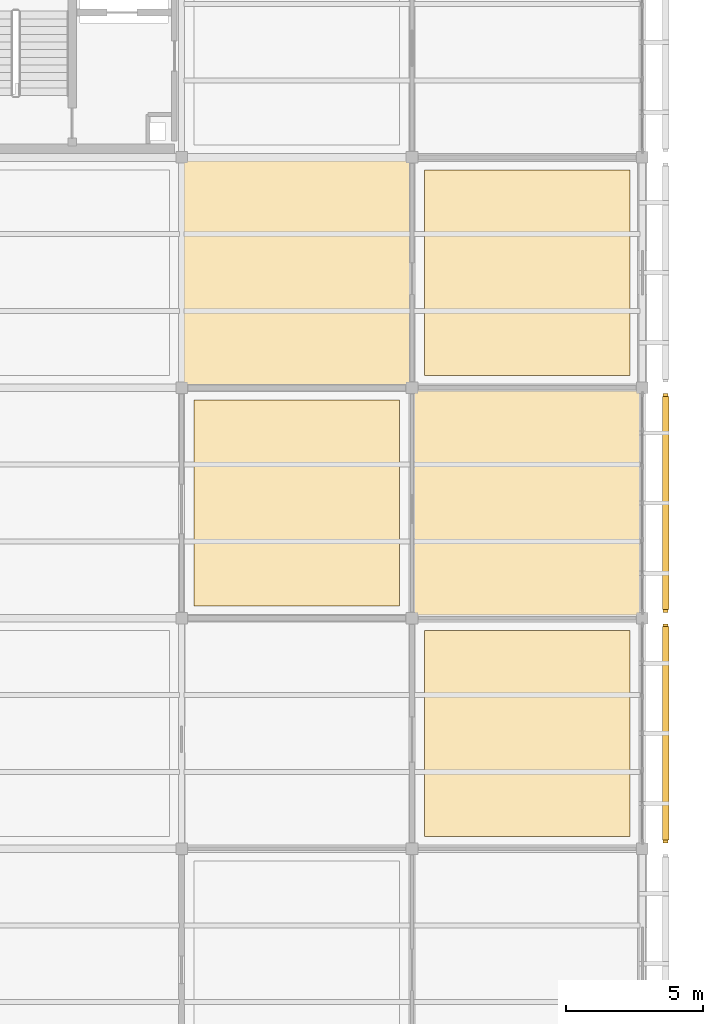
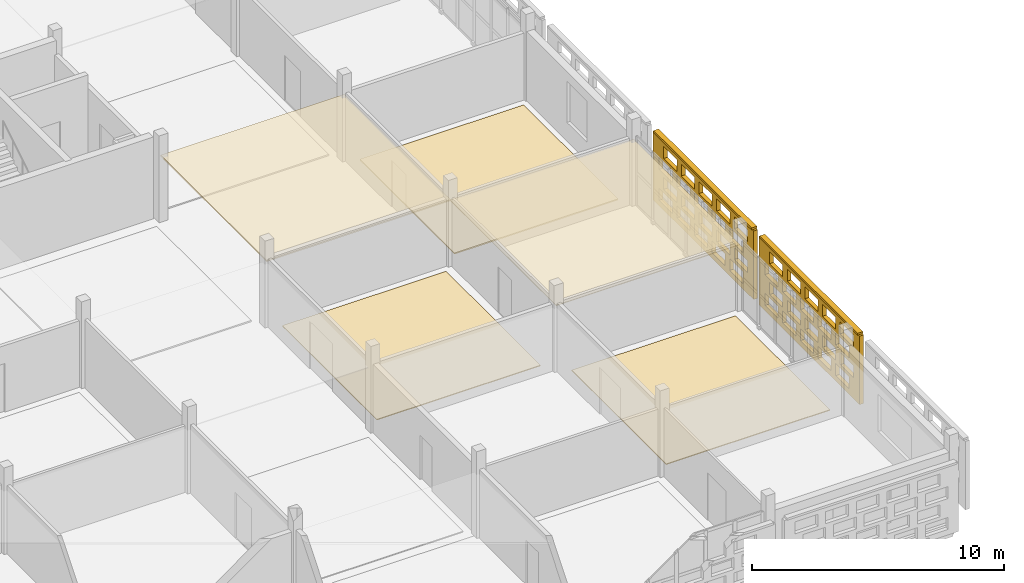
# One storey, part 161 of 166: 7 coverings, 2 shading devices, 40 openings.
"""IFC4 building model written with IfcOpenShell, lengths in metres."""

from ifc_helpers import new_model, si_unit, direction, frame, frame_2d, origin, origin_2d, place, context, subcontext, project, spatial, rectangle, extrude, material, layer, layer_set, type_object, element, save


model = new_model("IFC4")

# Units and contexts
model_context = context("Model", 3, precision=1e-05, world=origin(), true_north=direction((0.0, 1.0)))
body_context = subcontext(model_context, "Body", "Model", "MODEL_VIEW")
ifc_project = project(units=[si_unit("LENGTHUNIT", "METRE"), si_unit("AREAUNIT", "SQUARE_METRE"), si_unit("VOLUMEUNIT", "CUBIC_METRE"), si_unit("PLANEANGLEUNIT", "RADIAN"), si_unit("MASSUNIT", "GRAM", prefix="KILO")], contexts=[model_context])

# Site, building, storey
site_placement = place(None, origin())
site = spatial("IfcSite", under=ifc_project, at=site_placement, CompositionType="ELEMENT")
building_placement = place(site_placement, origin())
building = spatial("IfcBuilding", under=site, at=building_placement, Name="Varnapada Polytechnic", CompositionType="ELEMENT")
storey_placement = place(building_placement, frame((0.0, 0.0, 9.60009765625)))
storey = spatial("IfcBuildingStorey", under=building, at=storey_placement, Name="L02", CompositionType="ELEMENT", Elevation=9.60009765625)

# Coverings
ifc_material_1 = material(Name="Anti-Static Raised Laboratory Flooring")
ifc_layer_1 = layer(ifc_material_1, 0.06005859375)
ifc_layer_set_1 = layer_set([ifc_layer_1], Name="Anti-Static Raised Laboratory Flooring")
covering_type_1 = type_object("IfcCoveringType", Name="Floor Finish FLR-02", PredefinedType="FLOORING", material=ifc_layer_set_1)
covering_1_placement = place(storey_placement, frame((172.199951171875, 88.199951171875, -0.000244140625), z_axis=(0.0, 0.0, 1.0), x_axis=(1.0, 0.0, 0.0)))
element("IfcCovering", 1, at=covering_1_placement, inside=storey, type_object=covering_type_1, Name="L02 floor finish panel (21,11)", PredefinedType="FLOORING", context=body_context, shape_type="SweptSolid", body=[
    extrude(rectangle(XDim=7.5, YDim=7.5, at=origin_2d()), origin(), (0.0, 0.0, 1.0), 0.06005859375),
])
ifc_material_2 = material(Name="Acoustic Rubber Seminar Flooring")
ifc_layer_2 = layer(ifc_material_2, 0.0400390625)
ifc_layer_set_2 = layer_set([ifc_layer_2], Name="Acoustic Rubber Seminar Flooring")
covering_type_2 = type_object("IfcCoveringType", Name="Floor Finish FLR-06", PredefinedType="FLOORING", material=ifc_layer_set_2)
for number, where, z_axis, x_axis, name in (
    (2, (163.800048828125, 79.800048828125, 0.0), (0.0, 0.0, 1.0), (1.0, 0.0, 0.0), "L02 floor finish panel (20,10)"),
    (3, (172.199951171875, 71.39990234375, 0.0), (0.0, 0.0, 1.0), (1.0, 0.0, 0.0), "L02 floor finish panel (21,9)"),
):
    element("IfcCovering", number, at=place(storey_placement, frame(where, z_axis=z_axis, x_axis=x_axis)), inside=storey, type_object=covering_type_2, Name=name, PredefinedType="FLOORING", context=body_context, shape_type="SweptSolid", body=[
        extrude(rectangle(XDim=7.5, YDim=7.5, at=origin_2d()), origin(), (0.0, 0.0, 1.0), 0.0400390625),
    ])
ifc_material_3 = material(Name="Cleanroom Laboratory Metal Pan Ceiling")
ifc_layer_3 = layer(ifc_material_3, 0.034912109375)
ifc_layer_set_3 = layer_set([ifc_layer_3], Name="Cleanroom Laboratory Metal Pan Ceiling")
covering_type_3 = type_object("IfcCoveringType", Name="Suspended Ceiling CLG-06", PredefinedType="CEILING", material=ifc_layer_set_3)
covering_2_placement = place(storey_placement, frame((172.199951171875, 79.800048828125, 3.0322265625), z_axis=(0.0, 0.0, 1.0), x_axis=(1.0, 0.0, 0.0)))
element("IfcCovering", 4, at=covering_2_placement, inside=storey, type_object=covering_type_3, Name="L02 suspended acoustic ceiling (21,10)", PredefinedType="CEILING", context=body_context, shape_type="SweptSolid", body=[
    extrude(rectangle(XDim=8.419921875, YDim=8.419921875, at=origin_2d()), origin(), (0.0, 0.0, 1.0), 0.034912109375),
])
ifc_material_4 = material(Name="Deep Acoustic Auditorium Cloud Baffle")
ifc_layer_4 = layer(ifc_material_4, 0.06494140625)
ifc_layer_set_4 = layer_set([ifc_layer_4], Name="Deep Acoustic Auditorium Cloud Baffle")
covering_type_4 = type_object("IfcCoveringType", Name="Suspended Ceiling CLG-07", PredefinedType="CEILING", material=ifc_layer_set_4)
covering_3_placement = place(storey_placement, frame((163.800048828125, 88.199951171875, 3.017333984375), z_axis=(0.0, 0.0, 1.0), x_axis=(1.0, 0.0, 0.0)))
element("IfcCovering", 5, at=covering_3_placement, inside=storey, type_object=covering_type_4, Name="L02 suspended acoustic ceiling (20,11)", PredefinedType="CEILING", context=body_context, shape_type="SweptSolid", body=[
    extrude(rectangle(XDim=8.419921875, YDim=8.419921875, at=origin_2d()), origin(), (0.0, 0.0, 1.0), 0.06494140625),
])

# Covering, openings
ifc_material_5 = material(Name="Earth-toned architectural terracotta screen block", Category="masonry")
ifc_layer_5 = layer(ifc_material_5, 0.1201171875)
ifc_layer_set_5 = layer_set([ifc_layer_5], Name="Earth-toned architectural terracotta screen block")
covering_type_5 = type_object("IfcCoveringType", Name="Terracotta Screen Cladding CLD-01", PredefinedType="CLADDING", material=ifc_layer_set_5)
covering_4_placement = place(storey_placement, frame((177.25, 75.389892578125, 0.0), z_axis=(0.0, 0.0, 1.0), x_axis=(0.0, -1.0, 0.0)))
covering_4 = element("IfcCovering", 6, at=covering_4_placement, inside=storey, type_object=covering_type_5, Name="L02 perforated terracotta block screen (110)", PredefinedType="CLADDING", context=body_context, shape_type="SweptSolid", body=[
    extrude(rectangle(XDim=7.97998046875, YDim=0.179931640625, at=frame_2d((3.989990234375, 0.0))), origin(), (0.0, 0.0, 1.0), 3.31982421875),
])
opening_1_placement = place(covering_4_placement, frame((0.489990234375, 0.0, 0.265625)))
element("IfcOpeningElement", 7, at=opening_1_placement, cuts=covering_4, Name="Screen perforation TBS-L02-109.1", PredefinedType="OPENING", context=body_context, shape_type="SweptSolid", body=[
    extrude(rectangle(XDim=1.0400390625, YDim=0.5810546875, at=frame_2d((0.52001953125, 0.29052734375))), frame((0.0, 0.099853515625, 0.0), z_axis=(0.0, -1.0, 0.0), x_axis=(1.0, 0.0, 0.0)), (0.0, 0.0, 1.0), 0.199951171875),
])
opening_2_placement = place(covering_4_placement, frame((1.889892578125, 0.0, 0.265625)))
element("IfcOpeningElement", 8, at=opening_2_placement, cuts=covering_4, Name="Screen perforation TBS-L02-109.2", PredefinedType="OPENING", context=body_context, shape_type="SweptSolid", body=[
    extrude(rectangle(XDim=1.0400390625, YDim=0.5810546875, at=frame_2d((0.52001953125, 0.29052734375))), frame((0.0, 0.099853515625, 0.0), z_axis=(0.0, -1.0, 0.0), x_axis=(1.0, 0.0, 0.0)), (0.0, 0.0, 1.0), 0.199951171875),
])
opening_3_placement = place(covering_4_placement, frame((3.2900390625, 0.0, 0.265625)))
element("IfcOpeningElement", 9, at=opening_3_placement, cuts=covering_4, Name="Screen perforation TBS-L02-109.3", PredefinedType="OPENING", context=body_context, shape_type="SweptSolid", body=[
    extrude(rectangle(XDim=1.0400390625, YDim=0.5810546875, at=frame_2d((0.52001953125, 0.29052734375))), frame((0.0, 0.099853515625, 0.0), z_axis=(0.0, -1.0, 0.0), x_axis=(1.0, 0.0, 0.0)), (0.0, 0.0, 1.0), 0.199951171875),
])
opening_4_placement = place(covering_4_placement, frame((4.68994140625, 0.0, 0.265625)))
element("IfcOpeningElement", 10, at=opening_4_placement, cuts=covering_4, Name="Screen perforation TBS-L02-109.4", PredefinedType="OPENING", context=body_context, shape_type="SweptSolid", body=[
    extrude(rectangle(XDim=1.0400390625, YDim=0.5810546875, at=frame_2d((0.52001953125, 0.29052734375))), frame((0.0, 0.099853515625, 0.0), z_axis=(0.0, -1.0, 0.0), x_axis=(1.0, 0.0, 0.0)), (0.0, 0.0, 1.0), 0.199951171875),
])
opening_5_placement = place(covering_4_placement, frame((6.090087890625, 0.0, 0.265625)))
element("IfcOpeningElement", 11, at=opening_5_placement, cuts=covering_4, Name="Screen perforation TBS-L02-109.5", PredefinedType="OPENING", context=body_context, shape_type="SweptSolid", body=[
    extrude(rectangle(XDim=1.0400390625, YDim=0.5810546875, at=frame_2d((0.52001953125, 0.29052734375))), frame((0.0, 0.099853515625, 0.0), z_axis=(0.0, -1.0, 0.0), x_axis=(1.0, 0.0, 0.0)), (0.0, 0.0, 1.0), 0.199951171875),
])
opening_6_placement = place(covering_4_placement, frame((0.85009765625, 0.0, 1.0126953125)))
element("IfcOpeningElement", 12, at=opening_6_placement, cuts=covering_4, Name="Screen perforation TBS-L02-109.6", PredefinedType="OPENING", context=body_context, shape_type="SweptSolid", body=[
    extrude(rectangle(XDim=1.0400390625, YDim=0.5810546875, at=frame_2d((0.52001953125, 0.29052734375))), frame((0.0, 0.099853515625, 0.0), z_axis=(0.0, -1.0, 0.0), x_axis=(1.0, 0.0, 0.0)), (0.0, 0.0, 1.0), 0.199951171875),
])
opening_7_placement = place(covering_4_placement, frame((2.25, 0.0, 1.0126953125)))
element("IfcOpeningElement", 13, at=opening_7_placement, cuts=covering_4, Name="Screen perforation TBS-L02-109.7", PredefinedType="OPENING", context=body_context, shape_type="SweptSolid", body=[
    extrude(rectangle(XDim=1.0400390625, YDim=0.5810546875, at=frame_2d((0.52001953125, 0.29052734375))), frame((0.0, 0.099853515625, 0.0), z_axis=(0.0, -1.0, 0.0), x_axis=(1.0, 0.0, 0.0)), (0.0, 0.0, 1.0), 0.199951171875),
])
opening_8_placement = place(covering_4_placement, frame((3.64990234375, 0.0, 1.0126953125)))
element("IfcOpeningElement", 14, at=opening_8_placement, cuts=covering_4, Name="Screen perforation TBS-L02-109.8", PredefinedType="OPENING", context=body_context, shape_type="SweptSolid", body=[
    extrude(rectangle(XDim=1.0400390625, YDim=0.5810546875, at=frame_2d((0.52001953125, 0.29052734375))), frame((0.0, 0.099853515625, 0.0), z_axis=(0.0, -1.0, 0.0), x_axis=(1.0, 0.0, 0.0)), (0.0, 0.0, 1.0), 0.199951171875),
])
opening_9_placement = place(covering_4_placement, frame((5.050048828125, 0.0, 1.0126953125)))
element("IfcOpeningElement", 15, at=opening_9_placement, cuts=covering_4, Name="Screen perforation TBS-L02-109.9", PredefinedType="OPENING", context=body_context, shape_type="SweptSolid", body=[
    extrude(rectangle(XDim=1.0400390625, YDim=0.5810546875, at=frame_2d((0.52001953125, 0.29052734375))), frame((0.0, 0.099853515625, 0.0), z_axis=(0.0, -1.0, 0.0), x_axis=(1.0, 0.0, 0.0)), (0.0, 0.0, 1.0), 0.199951171875),
])
opening_10_placement = place(covering_4_placement, frame((6.449951171875, 0.0, 1.0126953125)))
element("IfcOpeningElement", 16, at=opening_10_placement, cuts=covering_4, Name="Screen perforation TBS-L02-109.10", PredefinedType="OPENING", context=body_context, shape_type="SweptSolid", body=[
    extrude(rectangle(XDim=1.0400390625, YDim=0.5810546875, at=frame_2d((0.52001953125, 0.29052734375))), frame((0.0, 0.099853515625, 0.0), z_axis=(0.0, -1.0, 0.0), x_axis=(1.0, 0.0, 0.0)), (0.0, 0.0, 1.0), 0.199951171875),
])
opening_11_placement = place(covering_4_placement, frame((0.489990234375, 0.0, 1.759521484375)))
element("IfcOpeningElement", 17, at=opening_11_placement, cuts=covering_4, Name="Screen perforation TBS-L02-109.11", PredefinedType="OPENING", context=body_context, shape_type="SweptSolid", body=[
    extrude(rectangle(XDim=1.0400390625, YDim=0.5810546875, at=frame_2d((0.52001953125, 0.29052734375))), frame((0.0, 0.099853515625, 0.0), z_axis=(0.0, -1.0, 0.0), x_axis=(1.0, 0.0, 0.0)), (0.0, 0.0, 1.0), 0.199951171875),
])
opening_12_placement = place(covering_4_placement, frame((1.889892578125, 0.0, 1.759521484375)))
element("IfcOpeningElement", 18, at=opening_12_placement, cuts=covering_4, Name="Screen perforation TBS-L02-109.12", PredefinedType="OPENING", context=body_context, shape_type="SweptSolid", body=[
    extrude(rectangle(XDim=1.0400390625, YDim=0.5810546875, at=frame_2d((0.52001953125, 0.29052734375))), frame((0.0, 0.099853515625, 0.0), z_axis=(0.0, -1.0, 0.0), x_axis=(1.0, 0.0, 0.0)), (0.0, 0.0, 1.0), 0.199951171875),
])
opening_13_placement = place(covering_4_placement, frame((3.2900390625, 0.0, 1.759521484375)))
element("IfcOpeningElement", 19, at=opening_13_placement, cuts=covering_4, Name="Screen perforation TBS-L02-109.13", PredefinedType="OPENING", context=body_context, shape_type="SweptSolid", body=[
    extrude(rectangle(XDim=1.0400390625, YDim=0.5810546875, at=frame_2d((0.52001953125, 0.29052734375))), frame((0.0, 0.099853515625, 0.0), z_axis=(0.0, -1.0, 0.0), x_axis=(1.0, 0.0, 0.0)), (0.0, 0.0, 1.0), 0.199951171875),
])
opening_14_placement = place(covering_4_placement, frame((4.68994140625, 0.0, 1.759521484375)))
element("IfcOpeningElement", 20, at=opening_14_placement, cuts=covering_4, Name="Screen perforation TBS-L02-109.14", PredefinedType="OPENING", context=body_context, shape_type="SweptSolid", body=[
    extrude(rectangle(XDim=1.0400390625, YDim=0.5810546875, at=frame_2d((0.52001953125, 0.29052734375))), frame((0.0, 0.099853515625, 0.0), z_axis=(0.0, -1.0, 0.0), x_axis=(1.0, 0.0, 0.0)), (0.0, 0.0, 1.0), 0.199951171875),
])
opening_15_placement = place(covering_4_placement, frame((6.090087890625, 0.0, 1.759521484375)))
element("IfcOpeningElement", 21, at=opening_15_placement, cuts=covering_4, Name="Screen perforation TBS-L02-109.15", PredefinedType="OPENING", context=body_context, shape_type="SweptSolid", body=[
    extrude(rectangle(XDim=1.0400390625, YDim=0.5810546875, at=frame_2d((0.52001953125, 0.29052734375))), frame((0.0, 0.099853515625, 0.0), z_axis=(0.0, -1.0, 0.0), x_axis=(1.0, 0.0, 0.0)), (0.0, 0.0, 1.0), 0.199951171875),
])
opening_16_placement = place(covering_4_placement, frame((0.85009765625, 0.0, 2.506591796875)))
element("IfcOpeningElement", 22, at=opening_16_placement, cuts=covering_4, Name="Screen perforation TBS-L02-109.16", PredefinedType="OPENING", context=body_context, shape_type="SweptSolid", body=[
    extrude(rectangle(XDim=1.0400390625, YDim=0.5810546875, at=frame_2d((0.52001953125, 0.29052734375))), frame((0.0, 0.099853515625, 0.0), z_axis=(0.0, -1.0, 0.0), x_axis=(1.0, 0.0, 0.0)), (0.0, 0.0, 1.0), 0.199951171875),
])
opening_17_placement = place(covering_4_placement, frame((2.25, 0.0, 2.506591796875)))
element("IfcOpeningElement", 23, at=opening_17_placement, cuts=covering_4, Name="Screen perforation TBS-L02-109.17", PredefinedType="OPENING", context=body_context, shape_type="SweptSolid", body=[
    extrude(rectangle(XDim=1.0400390625, YDim=0.5810546875, at=frame_2d((0.52001953125, 0.29052734375))), frame((0.0, 0.099853515625, 0.0), z_axis=(0.0, -1.0, 0.0), x_axis=(1.0, 0.0, 0.0)), (0.0, 0.0, 1.0), 0.199951171875),
])
opening_18_placement = place(covering_4_placement, frame((3.64990234375, 0.0, 2.506591796875)))
element("IfcOpeningElement", 24, at=opening_18_placement, cuts=covering_4, Name="Screen perforation TBS-L02-109.18", PredefinedType="OPENING", context=body_context, shape_type="SweptSolid", body=[
    extrude(rectangle(XDim=1.0400390625, YDim=0.5810546875, at=frame_2d((0.52001953125, 0.29052734375))), frame((0.0, 0.099853515625, 0.0), z_axis=(0.0, -1.0, 0.0), x_axis=(1.0, 0.0, 0.0)), (0.0, 0.0, 1.0), 0.199951171875),
])
opening_19_placement = place(covering_4_placement, frame((5.050048828125, 0.0, 2.506591796875)))
element("IfcOpeningElement", 25, at=opening_19_placement, cuts=covering_4, Name="Screen perforation TBS-L02-109.19", PredefinedType="OPENING", context=body_context, shape_type="SweptSolid", body=[
    extrude(rectangle(XDim=1.0400390625, YDim=0.5810546875, at=frame_2d((0.52001953125, 0.29052734375))), frame((0.0, 0.099853515625, 0.0), z_axis=(0.0, -1.0, 0.0), x_axis=(1.0, 0.0, 0.0)), (0.0, 0.0, 1.0), 0.199951171875),
])
opening_20_placement = place(covering_4_placement, frame((6.449951171875, 0.0, 2.506591796875)))
element("IfcOpeningElement", 26, at=opening_20_placement, cuts=covering_4, Name="Screen perforation TBS-L02-109.20", PredefinedType="OPENING", context=body_context, shape_type="SweptSolid", body=[
    extrude(rectangle(XDim=1.0400390625, YDim=0.5810546875, at=frame_2d((0.52001953125, 0.29052734375))), frame((0.0, 0.099853515625, 0.0), z_axis=(0.0, -1.0, 0.0), x_axis=(1.0, 0.0, 0.0)), (0.0, 0.0, 1.0), 0.199951171875),
])

covering_5_placement = place(storey_placement, frame((177.25, 83.7900390625, 0.0), z_axis=(0.0, 0.0, 1.0), x_axis=(0.0, -1.0, 0.0)))
covering_5 = element("IfcCovering", 27, at=covering_5_placement, inside=storey, type_object=covering_type_5, Name="L02 perforated terracotta block screen (111)", PredefinedType="CLADDING", context=body_context, shape_type="SweptSolid", body=[
    extrude(rectangle(XDim=7.97998046875, YDim=0.179931640625, at=frame_2d((3.989990234375, 0.0))), origin(), (0.0, 0.0, 1.0), 3.31982421875),
])
opening_21_placement = place(covering_5_placement, frame((0.489990234375, 0.0, 0.265625)))
element("IfcOpeningElement", 28, at=opening_21_placement, cuts=covering_5, Name="Screen perforation TBS-L02-110.1", PredefinedType="OPENING", context=body_context, shape_type="SweptSolid", body=[
    extrude(rectangle(XDim=1.0400390625, YDim=0.5810546875, at=frame_2d((0.52001953125, 0.29052734375))), frame((0.0, 0.099853515625, 0.0), z_axis=(0.0, -1.0, 0.0), x_axis=(1.0, 0.0, 0.0)), (0.0, 0.0, 1.0), 0.199951171875),
])
opening_22_placement = place(covering_5_placement, frame((1.889892578125, 0.0, 0.265625)))
element("IfcOpeningElement", 29, at=opening_22_placement, cuts=covering_5, Name="Screen perforation TBS-L02-110.2", PredefinedType="OPENING", context=body_context, shape_type="SweptSolid", body=[
    extrude(rectangle(XDim=1.0400390625, YDim=0.5810546875, at=frame_2d((0.52001953125, 0.29052734375))), frame((0.0, 0.099853515625, 0.0), z_axis=(0.0, -1.0, 0.0), x_axis=(1.0, 0.0, 0.0)), (0.0, 0.0, 1.0), 0.199951171875),
])
opening_23_placement = place(covering_5_placement, frame((3.2900390625, 0.0, 0.265625)))
element("IfcOpeningElement", 30, at=opening_23_placement, cuts=covering_5, Name="Screen perforation TBS-L02-110.3", PredefinedType="OPENING", context=body_context, shape_type="SweptSolid", body=[
    extrude(rectangle(XDim=1.0400390625, YDim=0.5810546875, at=frame_2d((0.52001953125, 0.29052734375))), frame((0.0, 0.099853515625, 0.0), z_axis=(0.0, -1.0, 0.0), x_axis=(1.0, 0.0, 0.0)), (0.0, 0.0, 1.0), 0.199951171875),
])
opening_24_placement = place(covering_5_placement, frame((4.68994140625, 0.0, 0.265625)))
element("IfcOpeningElement", 31, at=opening_24_placement, cuts=covering_5, Name="Screen perforation TBS-L02-110.4", PredefinedType="OPENING", context=body_context, shape_type="SweptSolid", body=[
    extrude(rectangle(XDim=1.0400390625, YDim=0.5810546875, at=frame_2d((0.52001953125, 0.29052734375))), frame((0.0, 0.099853515625, 0.0), z_axis=(0.0, -1.0, 0.0), x_axis=(1.0, 0.0, 0.0)), (0.0, 0.0, 1.0), 0.199951171875),
])
opening_25_placement = place(covering_5_placement, frame((6.090087890625, 0.0, 0.265625)))
element("IfcOpeningElement", 32, at=opening_25_placement, cuts=covering_5, Name="Screen perforation TBS-L02-110.5", PredefinedType="OPENING", context=body_context, shape_type="SweptSolid", body=[
    extrude(rectangle(XDim=1.0400390625, YDim=0.5810546875, at=frame_2d((0.52001953125, 0.29052734375))), frame((0.0, 0.099853515625, 0.0), z_axis=(0.0, -1.0, 0.0), x_axis=(1.0, 0.0, 0.0)), (0.0, 0.0, 1.0), 0.199951171875),
])
opening_26_placement = place(covering_5_placement, frame((0.85009765625, 0.0, 1.0126953125)))
element("IfcOpeningElement", 33, at=opening_26_placement, cuts=covering_5, Name="Screen perforation TBS-L02-110.6", PredefinedType="OPENING", context=body_context, shape_type="SweptSolid", body=[
    extrude(rectangle(XDim=1.0400390625, YDim=0.5810546875, at=frame_2d((0.52001953125, 0.29052734375))), frame((0.0, 0.099853515625, 0.0), z_axis=(0.0, -1.0, 0.0), x_axis=(1.0, 0.0, 0.0)), (0.0, 0.0, 1.0), 0.199951171875),
])
opening_27_placement = place(covering_5_placement, frame((2.25, 0.0, 1.0126953125)))
element("IfcOpeningElement", 34, at=opening_27_placement, cuts=covering_5, Name="Screen perforation TBS-L02-110.7", PredefinedType="OPENING", context=body_context, shape_type="SweptSolid", body=[
    extrude(rectangle(XDim=1.0400390625, YDim=0.5810546875, at=frame_2d((0.52001953125, 0.29052734375))), frame((0.0, 0.099853515625, 0.0), z_axis=(0.0, -1.0, 0.0), x_axis=(1.0, 0.0, 0.0)), (0.0, 0.0, 1.0), 0.199951171875),
])
opening_28_placement = place(covering_5_placement, frame((3.64990234375, 0.0, 1.0126953125)))
element("IfcOpeningElement", 35, at=opening_28_placement, cuts=covering_5, Name="Screen perforation TBS-L02-110.8", PredefinedType="OPENING", context=body_context, shape_type="SweptSolid", body=[
    extrude(rectangle(XDim=1.0400390625, YDim=0.5810546875, at=frame_2d((0.52001953125, 0.29052734375))), frame((0.0, 0.099853515625, 0.0), z_axis=(0.0, -1.0, 0.0), x_axis=(1.0, 0.0, 0.0)), (0.0, 0.0, 1.0), 0.199951171875),
])
opening_29_placement = place(covering_5_placement, frame((5.050048828125, 0.0, 1.0126953125)))
element("IfcOpeningElement", 36, at=opening_29_placement, cuts=covering_5, Name="Screen perforation TBS-L02-110.9", PredefinedType="OPENING", context=body_context, shape_type="SweptSolid", body=[
    extrude(rectangle(XDim=1.0400390625, YDim=0.5810546875, at=frame_2d((0.52001953125, 0.29052734375))), frame((0.0, 0.099853515625, 0.0), z_axis=(0.0, -1.0, 0.0), x_axis=(1.0, 0.0, 0.0)), (0.0, 0.0, 1.0), 0.199951171875),
])
opening_30_placement = place(covering_5_placement, frame((6.449951171875, 0.0, 1.0126953125)))
element("IfcOpeningElement", 37, at=opening_30_placement, cuts=covering_5, Name="Screen perforation TBS-L02-110.10", PredefinedType="OPENING", context=body_context, shape_type="SweptSolid", body=[
    extrude(rectangle(XDim=1.0400390625, YDim=0.5810546875, at=frame_2d((0.52001953125, 0.29052734375))), frame((0.0, 0.099853515625, 0.0), z_axis=(0.0, -1.0, 0.0), x_axis=(1.0, 0.0, 0.0)), (0.0, 0.0, 1.0), 0.199951171875),
])
opening_31_placement = place(covering_5_placement, frame((0.489990234375, 0.0, 1.759521484375)))
element("IfcOpeningElement", 38, at=opening_31_placement, cuts=covering_5, Name="Screen perforation TBS-L02-110.11", PredefinedType="OPENING", context=body_context, shape_type="SweptSolid", body=[
    extrude(rectangle(XDim=1.0400390625, YDim=0.5810546875, at=frame_2d((0.52001953125, 0.29052734375))), frame((0.0, 0.099853515625, 0.0), z_axis=(0.0, -1.0, 0.0), x_axis=(1.0, 0.0, 0.0)), (0.0, 0.0, 1.0), 0.199951171875),
])
opening_32_placement = place(covering_5_placement, frame((1.889892578125, 0.0, 1.759521484375)))
element("IfcOpeningElement", 39, at=opening_32_placement, cuts=covering_5, Name="Screen perforation TBS-L02-110.12", PredefinedType="OPENING", context=body_context, shape_type="SweptSolid", body=[
    extrude(rectangle(XDim=1.0400390625, YDim=0.5810546875, at=frame_2d((0.52001953125, 0.29052734375))), frame((0.0, 0.099853515625, 0.0), z_axis=(0.0, -1.0, 0.0), x_axis=(1.0, 0.0, 0.0)), (0.0, 0.0, 1.0), 0.199951171875),
])
opening_33_placement = place(covering_5_placement, frame((3.2900390625, 0.0, 1.759521484375)))
element("IfcOpeningElement", 40, at=opening_33_placement, cuts=covering_5, Name="Screen perforation TBS-L02-110.13", PredefinedType="OPENING", context=body_context, shape_type="SweptSolid", body=[
    extrude(rectangle(XDim=1.0400390625, YDim=0.5810546875, at=frame_2d((0.52001953125, 0.29052734375))), frame((0.0, 0.099853515625, 0.0), z_axis=(0.0, -1.0, 0.0), x_axis=(1.0, 0.0, 0.0)), (0.0, 0.0, 1.0), 0.199951171875),
])
opening_34_placement = place(covering_5_placement, frame((4.68994140625, 0.0, 1.759521484375)))
element("IfcOpeningElement", 41, at=opening_34_placement, cuts=covering_5, Name="Screen perforation TBS-L02-110.14", PredefinedType="OPENING", context=body_context, shape_type="SweptSolid", body=[
    extrude(rectangle(XDim=1.0400390625, YDim=0.5810546875, at=frame_2d((0.52001953125, 0.29052734375))), frame((0.0, 0.099853515625, 0.0), z_axis=(0.0, -1.0, 0.0), x_axis=(1.0, 0.0, 0.0)), (0.0, 0.0, 1.0), 0.199951171875),
])
opening_35_placement = place(covering_5_placement, frame((6.090087890625, 0.0, 1.759521484375)))
element("IfcOpeningElement", 42, at=opening_35_placement, cuts=covering_5, Name="Screen perforation TBS-L02-110.15", PredefinedType="OPENING", context=body_context, shape_type="SweptSolid", body=[
    extrude(rectangle(XDim=1.0400390625, YDim=0.5810546875, at=frame_2d((0.52001953125, 0.29052734375))), frame((0.0, 0.099853515625, 0.0), z_axis=(0.0, -1.0, 0.0), x_axis=(1.0, 0.0, 0.0)), (0.0, 0.0, 1.0), 0.199951171875),
])
opening_36_placement = place(covering_5_placement, frame((0.85009765625, 0.0, 2.506591796875)))
element("IfcOpeningElement", 43, at=opening_36_placement, cuts=covering_5, Name="Screen perforation TBS-L02-110.16", PredefinedType="OPENING", context=body_context, shape_type="SweptSolid", body=[
    extrude(rectangle(XDim=1.0400390625, YDim=0.5810546875, at=frame_2d((0.52001953125, 0.29052734375))), frame((0.0, 0.099853515625, 0.0), z_axis=(0.0, -1.0, 0.0), x_axis=(1.0, 0.0, 0.0)), (0.0, 0.0, 1.0), 0.199951171875),
])
opening_37_placement = place(covering_5_placement, frame((2.25, 0.0, 2.506591796875)))
element("IfcOpeningElement", 44, at=opening_37_placement, cuts=covering_5, Name="Screen perforation TBS-L02-110.17", PredefinedType="OPENING", context=body_context, shape_type="SweptSolid", body=[
    extrude(rectangle(XDim=1.0400390625, YDim=0.5810546875, at=frame_2d((0.52001953125, 0.29052734375))), frame((0.0, 0.099853515625, 0.0), z_axis=(0.0, -1.0, 0.0), x_axis=(1.0, 0.0, 0.0)), (0.0, 0.0, 1.0), 0.199951171875),
])
opening_38_placement = place(covering_5_placement, frame((3.64990234375, 0.0, 2.506591796875)))
element("IfcOpeningElement", 45, at=opening_38_placement, cuts=covering_5, Name="Screen perforation TBS-L02-110.18", PredefinedType="OPENING", context=body_context, shape_type="SweptSolid", body=[
    extrude(rectangle(XDim=1.0400390625, YDim=0.5810546875, at=frame_2d((0.52001953125, 0.29052734375))), frame((0.0, 0.099853515625, 0.0), z_axis=(0.0, -1.0, 0.0), x_axis=(1.0, 0.0, 0.0)), (0.0, 0.0, 1.0), 0.199951171875),
])
opening_39_placement = place(covering_5_placement, frame((5.050048828125, 0.0, 2.506591796875)))
element("IfcOpeningElement", 46, at=opening_39_placement, cuts=covering_5, Name="Screen perforation TBS-L02-110.19", PredefinedType="OPENING", context=body_context, shape_type="SweptSolid", body=[
    extrude(rectangle(XDim=1.0400390625, YDim=0.5810546875, at=frame_2d((0.52001953125, 0.29052734375))), frame((0.0, 0.099853515625, 0.0), z_axis=(0.0, -1.0, 0.0), x_axis=(1.0, 0.0, 0.0)), (0.0, 0.0, 1.0), 0.199951171875),
])
opening_40_placement = place(covering_5_placement, frame((6.449951171875, 0.0, 2.506591796875)))
element("IfcOpeningElement", 47, at=opening_40_placement, cuts=covering_5, Name="Screen perforation TBS-L02-110.20", PredefinedType="OPENING", context=body_context, shape_type="SweptSolid", body=[
    extrude(rectangle(XDim=1.0400390625, YDim=0.5810546875, at=frame_2d((0.52001953125, 0.29052734375))), frame((0.0, 0.099853515625, 0.0), z_axis=(0.0, -1.0, 0.0), x_axis=(1.0, 0.0, 0.0)), (0.0, 0.0, 1.0), 0.199951171875),
])

# Shading devices
ifc_layer_6 = layer(ifc_material_5, 0.179931640625)
ifc_layer_set_6 = layer_set([ifc_layer_6], Name="Earth-toned architectural terracotta screen block")
shading_device_type = type_object("IfcShadingDeviceType", Name="Terracotta Screen SCR-01", PredefinedType="USERDEFINED", material=ifc_layer_set_6)
for number, where, z_axis, x_axis, name in (
    (48, (177.25, 71.39990234375, 3.309814453125), (0.0, 0.0, 1.0), (0.0, -1.0, 0.0), "L02 perforated terracotta screen hood 329"),
    (49, (177.25, 79.800048828125, 3.309814453125), (0.0, 0.0, 1.0), (0.0, -1.0, 0.0), "L02 perforated terracotta screen hood 330"),
):
    element("IfcShadingDevice", number, at=place(storey_placement, frame(where, z_axis=z_axis, x_axis=x_axis)), inside=storey, type_object=shading_device_type, Name=name, ObjectType="SCREEN", PredefinedType="USERDEFINED", context=body_context, shape_type="SweptSolid", body=[
        extrude(rectangle(XDim=7.780029296875, YDim=0.239990234375, at=origin_2d()), origin(), (0.0, 0.0, 1.0), 0.10009765625),
    ])

save(model, "model.ifc")
